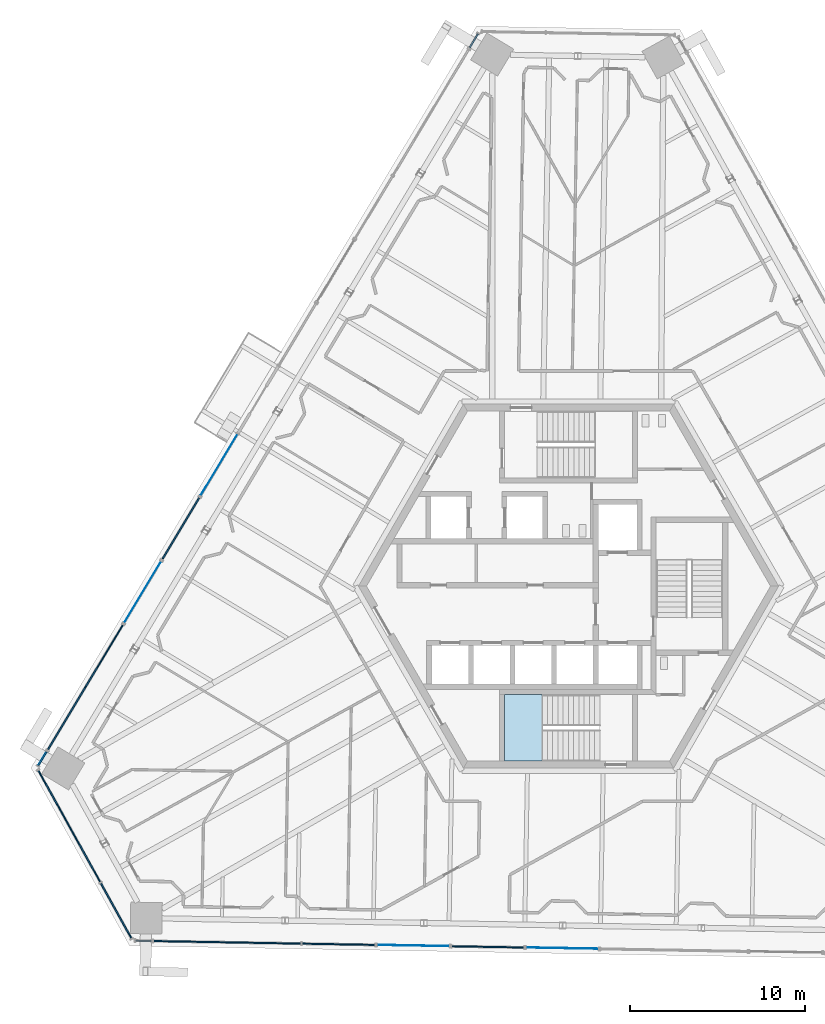
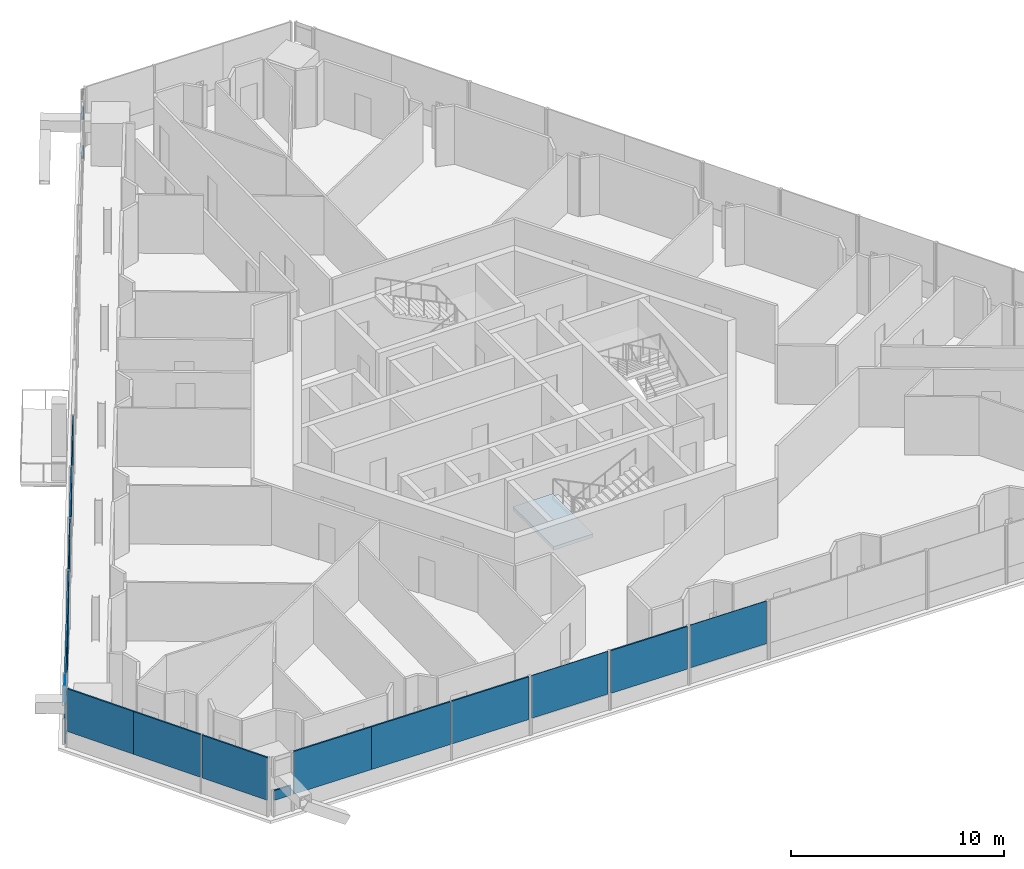
# One storey, part 11 of 24: 17 plates, 4 members, 1 slab, 15 elements without a shape of their own.
"""IFC4 building model written with IfcOpenShell, lengths in metres."""

from ifc_helpers import new_model, si_unit, direction, frame, origin, origin_2d, place, context, subcontext, project, spatial, polyline, rectangle, outline, extrude, source, transform, mapped, material, layer, layer_set, material_profile, profile_set, type_object, element, aggregate, save


model = new_model("IFC4")

# Units and contexts
model_context = context("Model", 3, precision=1e-05, world=origin(), true_north=direction((0.0, 1.0)))
body_context = subcontext(model_context, "Body", "Model", "MODEL_VIEW")
ifc_project = project(units=[si_unit("LENGTHUNIT", "METRE"), si_unit("AREAUNIT", "SQUARE_METRE"), si_unit("VOLUMEUNIT", "CUBIC_METRE"), si_unit("PLANEANGLEUNIT", "RADIAN"), si_unit("MASSUNIT", "GRAM", prefix="KILO")], contexts=[model_context])

# Site, building, storey
site_placement = place(None, origin())
site = spatial("IfcSite", under=ifc_project, at=site_placement, CompositionType="ELEMENT")
building_placement = place(site_placement, origin())
building = spatial("IfcBuilding", under=site, at=building_placement, Name="Triune Harvest Tower", CompositionType="ELEMENT")
storey_placement = place(building_placement, frame((0.0, 0.0, 212.300048828125)))
storey = spatial("IfcBuildingStorey", under=building, at=storey_placement, Name="L55", CompositionType="ELEMENT", Elevation=212.300048828125)

# Curtain wall, member
ifc_material_1 = material(Name="Aluminium bronze anodised", Category="aluminium")
curtain_wall_type_1 = type_object("IfcCurtainWallType", Name="CW-10 Balcony window wall with insulated spandrel infill", PredefinedType="NOTDEFINED", material=ifc_material_1)
curtain_wall_1_placement = place(storey_placement, origin())
curtain_wall_1 = element("IfcCurtainWall", 1, at=curtain_wall_1_placement, inside=storey, type_object=curtain_wall_type_1, Name="CW-10 B5-F3 L55 run 1")
ifc_material_2 = material(Name="Aluminium bronze anodised", Category="aluminium")
ifc_material_profile = material_profile(ifc_material_2, rectangle(XDim=0.090087890625, YDim=0.14990234375, at=origin_2d()), Name="TR-6 transom 90 x 150")
ifc_profile_set = profile_set([ifc_material_profile], Name="Aluminium bronze anodised")
member_type = type_object("IfcMemberType", Name="TR-6 transom 90 x 150", PredefinedType="USERDEFINED", material=ifc_profile_set)
shared_shape_1 = source(origin(), body_context, "Body", "SweptSolid", [
    extrude(rectangle(XDim=0.090087890625, YDim=0.14990234375, at=origin_2d()), origin(), (0.0, 0.0, 1.0), 0.89697265625),
])
member_1_placement = place(storey_placement, frame((-5.173095703125, 31.537353515625, 0.074951171875), z_axis=(-0.515016056834, -0.857180530112, 0.0), x_axis=(0.857180530112, -0.515016056834, 0.0)))
member_1 = element("IfcMember", 2, at=member_1_placement, type_object=member_type, Name="CW-10 transom B5-F3 1.1", ObjectType="TRANSOM", PredefinedType="USERDEFINED", context=body_context, shape_type="MappedRepresentation", body=[
    mapped(shared_shape_1, transform((0.0, 0.0, 0.0), scale=1.0)),
])
aggregate(curtain_wall_1, [member_1])

ifc_material_3 = material(Name="Aluminium bronze anodised", Category="aluminium")
curtain_wall_type_2 = type_object("IfcCurtainWallType", Name="CW-6 Balcony window wall", PredefinedType="NOTDEFINED", material=ifc_material_3)
curtain_wall_2_placement = place(storey_placement, origin())
curtain_wall_2 = element("IfcCurtainWall", 3, at=curtain_wall_2_placement, inside=storey, type_object=curtain_wall_type_2, Name="CW-6 B5-F3 L55 run 101")
member_2_placement = place(storey_placement, frame((-5.173095703125, 31.537353515625, 2.31005859375), z_axis=(-0.515016056834, -0.857180530112, 0.0), x_axis=(0.857180530112, -0.515016056834, 0.0)))
member_2 = element("IfcMember", 4, at=member_2_placement, type_object=member_type, Name="CW-6 transom B5-F3 101.1", ObjectType="TRANSOM", PredefinedType="USERDEFINED", context=body_context, shape_type="MappedRepresentation", body=[
    mapped(shared_shape_1, transform((0.0, 0.0, 0.0), scale=1.0)),
])
aggregate(curtain_wall_2, [member_2])

curtain_wall_3_placement = place(storey_placement, origin())
curtain_wall_3 = element("IfcCurtainWall", 5, at=curtain_wall_3_placement, inside=storey, type_object=curtain_wall_type_1, Name="CW-10 B5-F3 L55 run 102")
shared_shape_2 = source(origin(), body_context, "Body", "SweptSolid", [
    extrude(rectangle(XDim=0.090087890625, YDim=0.14990234375, at=origin_2d()), origin(), (0.0, 0.0, 1.0), 0.896728515625),
])
member_3_placement = place(storey_placement, frame((-29.8125, -9.4697265625, 0.074951171875), z_axis=(-0.514816008217, -0.857300692688, 0.0), x_axis=(0.857300692688, -0.514816008217, 0.0)))
member_3 = element("IfcMember", 6, at=member_3_placement, type_object=member_type, Name="CW-10 transom B5-F3 102.1", ObjectType="TRANSOM", PredefinedType="USERDEFINED", context=body_context, shape_type="MappedRepresentation", body=[
    mapped(shared_shape_2, transform((0.0, 0.0, 0.0), scale=1.0)),
])

curtain_wall_4_placement = place(storey_placement, origin())
curtain_wall_4 = element("IfcCurtainWall", 7, at=curtain_wall_4_placement, inside=storey, type_object=curtain_wall_type_2, Name="CW-6 B5-F3 L55 run 202")
member_4_placement = place(storey_placement, frame((-29.8125, -9.4697265625, 2.31005859375), z_axis=(-0.514816008217, -0.857300692688, 0.0), x_axis=(0.857300692688, -0.514816008217, 0.0)))
member_4 = element("IfcMember", 8, at=member_4_placement, type_object=member_type, Name="CW-6 transom B5-F3 202.1", ObjectType="TRANSOM", PredefinedType="USERDEFINED", context=body_context, shape_type="MappedRepresentation", body=[
    mapped(shared_shape_2, transform((0.0, 0.0, 0.0), scale=1.0)),
])

# Curtain wall, plate
ifc_material_4 = material(Name="Aluminium bronze anodised", Category="aluminium")
curtain_wall_type_3 = type_object("IfcCurtainWallType", Name="CW-1 Tower stick curtain wall", PredefinedType="NOTDEFINED", material=ifc_material_4)
curtain_wall_5_placement = place(storey_placement, origin())
curtain_wall_5 = element("IfcCurtainWall", 9, at=curtain_wall_5_placement, inside=storey, type_object=curtain_wall_type_3, Name="CW-1 B5-F5 L55 run 3201")
ifc_material_5 = material(Name="Glass", Category="glass")
ifc_layer_1 = layer(ifc_material_5, 0.031982421875)
ifc_layer_set_1 = layer_set([ifc_layer_1], Name="Glass")
plate_type_1 = type_object("IfcPlateType", Name="GL-1 panel 32", PredefinedType="CURTAIN_PANEL", material=ifc_layer_set_1)
plate_1_placement = place(storey_placement, frame((-0.36083984375, -20.673828125, 0.89990234375), z_axis=(0.0, 0.0, 1.0), x_axis=(0.999847448447, -0.017466534713, 0.0)))
plate_1 = element("IfcPlate", 10, at=plate_1_placement, type_object=plate_type_1, Name="CW-1 panel B5-F5 3201.1", PredefinedType="CURTAIN_PANEL", context=body_context, shape_type="SweptSolid", body=[
    extrude(rectangle(XDim=4.103759765625, YDim=0.031982421875, at=origin_2d()), origin(), (0.0, 0.0, 1.0), 2.449951171875),
])
aggregate(curtain_wall_5, [plate_1])

ifc_material_6 = material(Name="Aluminium bronze anodised", Category="aluminium")
curtain_wall_type_4 = type_object("IfcCurtainWallType", Name="CW-7 Tower stick curtain wall with insulated spandrel infill", PredefinedType="NOTDEFINED", material=ifc_material_6)
curtain_wall_6_placement = place(storey_placement, origin())
curtain_wall_6 = element("IfcCurtainWall", 11, at=curtain_wall_6_placement, inside=storey, type_object=curtain_wall_type_4, Name="CW-7 B5-F5 L55 run 201")
ifc_material_7 = material(Name="Insulated spandrel panel, bronze aluminium pan", Category="aluminium")
ifc_layer_2 = layer(ifc_material_7, 0.080078125)
ifc_layer_set_2 = layer_set([ifc_layer_2], Name="Insulated spandrel panel, bronze aluminium pan")
plate_type_2 = type_object("IfcPlateType", Name="SP-1 insulated spandrel panel 80", PredefinedType="CURTAIN_PANEL", material=ifc_layer_set_2)
plate_2_placement = place(storey_placement, frame((-17.392822265625, -20.376708984375, 0.89990234375), z_axis=(0.0, 0.0, 1.0), x_axis=(0.999847729178, -0.017450457236, 0.0)))
plate_2 = element("IfcPlate", 12, at=plate_2_placement, type_object=plate_type_2, Name="CW-7 panel B5-F5 201.2", PredefinedType="CURTAIN_PANEL", context=body_context, shape_type="SweptSolid", body=[
    extrude(rectangle(XDim=4.216552734375, YDim=0.080078125, at=origin_2d()), origin(), (0.0, 0.0, 1.0), 2.449951171875),
])

# Stair, slab
ifc_material_8 = material(Name="Concrete 40 MPa", Category="concrete")
stair_type = type_object("IfcStairType", Name="Exit stair 1800 half turn", PredefinedType="HALF_TURN_STAIR", material=ifc_material_8)
stair_placement = place(storey_placement, origin())
stair = element("IfcStair", 13, at=stair_placement, inside=storey, type_object=stair_type, Name="Exit stair south", PredefinedType="HALF_TURN_STAIR")
ifc_material_9 = material(Name="Concrete 40 MPa", Category="concrete")
ifc_layer_3 = layer(ifc_material_9, 0.199951171875)
ifc_layer_set_3 = layer_set([ifc_layer_3], Name="Concrete 40 MPa")
slab_type = type_object("IfcSlabType", Name="Stair landing 200", PredefinedType="LANDING", material=ifc_layer_set_3)
shared_shape_3 = source(origin(), body_context, "Body", "SweptSolid", [
    extrude(outline(polyline([(-1.510009765625, -6.18994140625), (-3.64990234375, -6.18994140625), (-3.64990234375, -9.989990234375), (-1.510009765625, -9.989990234375), (-1.510009765625, -6.18994140625)])), origin(), (0.0, 0.0, 1.0), 0.2001953125),
])
slab_placement = place(storey_placement, frame((0.0, 0.0, 1.599853515625)))
slab = element("IfcSlab", 14, at=slab_placement, type_object=slab_type, Name="ST-2 landing 2", PredefinedType="LANDING", context=body_context, shape_type="MappedRepresentation", body=[
    mapped(shared_shape_3, transform((0.0, 0.0, 0.0), scale=1.0)),
])
aggregate(stair, [slab])

# Curtain wall, plate
curtain_wall_7_placement = place(storey_placement, origin())
curtain_wall_7 = element("IfcCurtainWall", 15, at=curtain_wall_7_placement, inside=storey, type_object=curtain_wall_type_4, Name="CW-7 B5-F5 L55 run 1")
shared_shape_4 = source(origin(), body_context, "Body", "SweptSolid", [
    extrude(rectangle(XDim=0.896728515625, YDim=0.080078125, at=origin_2d()), origin(), (0.0, 0.0, 1.0), 0.56494140625),
])
plate_3_placement = place(storey_placement, frame((-24.27734375, -20.256591796875, 0.89990234375), z_axis=(0.0, 0.0, 1.0), x_axis=(0.999848834448, -0.017387013935, 0.0)))
plate_3 = element("IfcPlate", 16, at=plate_3_placement, type_object=plate_type_2, Name="CW-7 panel B5-F5 1.1", PredefinedType="CURTAIN_PANEL", context=body_context, shape_type="MappedRepresentation", body=[
    mapped(shared_shape_4, transform((0.0, 0.0, 0.0), scale=1.0)),
])
aggregate(curtain_wall_7, [plate_3])

# Plate
shared_shape_5 = source(origin(), body_context, "Body", "SweptSolid", [
    extrude(rectangle(XDim=4.178955078125, YDim=0.080078125, at=origin_2d()), origin(), (0.0, 0.0, 1.0), 2.449951171875),
])
plate_4_placement = place(storey_placement, frame((-21.58984375, -20.303466796875, 0.89990234375), z_axis=(0.0, 0.0, 1.0), x_axis=(0.999847729178, -0.017450457236, 0.0)))
plate_4 = element("IfcPlate", 17, at=plate_4_placement, type_object=plate_type_2, Name="CW-7 panel B5-F5 201.1", PredefinedType="CURTAIN_PANEL", context=body_context, shape_type="MappedRepresentation", body=[
    mapped(shared_shape_5, transform((0.0, 0.0, 0.0), scale=1.0)),
])

shared_shape_6 = source(origin(), body_context, "Body", "SweptSolid", [
    extrude(rectangle(XDim=4.141357421875, YDim=0.080078125, at=origin_2d()), origin(), (0.0, 0.0, 1.0), 2.449951171875),
])
plate_5_placement = place(storey_placement, frame((-13.139404296875, -20.450927734375, 0.89990234375), z_axis=(0.0, 0.0, 1.0), x_axis=(0.999847729178, -0.017450457236, 0.0)))
plate_5 = element("IfcPlate", 18, at=plate_5_placement, type_object=plate_type_2, Name="CW-7 panel B5-F5 201.3", PredefinedType="CURTAIN_PANEL", context=body_context, shape_type="MappedRepresentation", body=[
    mapped(shared_shape_6, transform((0.0, 0.0, 0.0), scale=1.0)),
])

aggregate(curtain_wall_6, [plate_4, plate_2, plate_5])

# Curtain wall, plate
curtain_wall_8_placement = place(storey_placement, origin())
curtain_wall_8 = element("IfcCurtainWall", 19, at=curtain_wall_8_placement, inside=storey, type_object=curtain_wall_type_3, Name="CW-1 B5-F5 L55 run 1201")
shared_shape_7 = source(origin(), body_context, "Body", "SweptSolid", [
    extrude(rectangle(XDim=4.10400390625, YDim=0.031982421875, at=origin_2d()), origin(), (0.0, 0.0, 1.0), 2.449951171875),
])
plate_6_placement = place(storey_placement, frame((-8.867431640625, -20.525390625, 0.89990234375), z_axis=(0.0, 0.0, 1.0), x_axis=(0.999847455618, -0.01746612417, 0.0)))
plate_6 = element("IfcPlate", 20, at=plate_6_placement, type_object=plate_type_1, Name="CW-1 panel B5-F5 1201.1", PredefinedType="CURTAIN_PANEL", context=body_context, shape_type="MappedRepresentation", body=[
    mapped(shared_shape_7, transform((0.0, 0.0, 0.0), scale=1.0)),
])
aggregate(curtain_wall_8, [plate_6])

curtain_wall_9_placement = place(storey_placement, origin())
curtain_wall_9 = element("IfcCurtainWall", 21, at=curtain_wall_9_placement, inside=storey, type_object=curtain_wall_type_4, Name="CW-7 B5-F5 L55 run 2201")
shared_shape_8 = source(origin(), body_context, "Body", "SweptSolid", [
    extrude(rectangle(XDim=4.10400390625, YDim=0.080078125, at=origin_2d()), origin(), (0.0, 0.0, 1.0), 2.449951171875),
])
plate_7_placement = place(storey_placement, frame((-4.6142578125, -20.599609375, 0.89990234375), z_axis=(0.0, 0.0, 1.0), x_axis=(0.999847865866, -0.017442623768, 0.0)))
plate_7 = element("IfcPlate", 22, at=plate_7_placement, type_object=plate_type_2, Name="CW-7 panel B5-F5 2201.1", PredefinedType="CURTAIN_PANEL", context=body_context, shape_type="MappedRepresentation", body=[
    mapped(shared_shape_8, transform((0.0, 0.0, 0.0), scale=1.0)),
])
aggregate(curtain_wall_9, [plate_7])

# Curtain wall, plates
curtain_wall_10_placement = place(storey_placement, origin())
curtain_wall_10 = element("IfcCurtainWall", 23, at=curtain_wall_10_placement, inside=storey, type_object=curtain_wall_type_4, Name="CW-7 B5-F4 L55 run 1")
shared_shape_9 = source(origin(), body_context, "Body", "SweptSolid", [
    extrude(rectangle(XDim=3.625, YDim=0.080078125, at=origin_2d()), origin(), (0.0, 0.0, 1.0), 2.449951171875),
])
plate_8_placement = place(storey_placement, frame((-29.400634765625, -12.109375, 0.89990234375), z_axis=(0.0, 0.0, 1.0), x_axis=(0.484801950362, -0.874623958582, 0.0)))
plate_8 = element("IfcPlate", 24, at=plate_8_placement, type_object=plate_type_2, Name="CW-7 panel B5-F4 1.1", PredefinedType="CURTAIN_PANEL", context=body_context, shape_type="MappedRepresentation", body=[
    mapped(shared_shape_9, transform((0.0, 0.0, 0.0), scale=1.0)),
])
shared_shape_10 = source(origin(), body_context, "Body", "SweptSolid", [
    extrude(rectangle(XDim=3.66259765625, YDim=0.080078125, at=origin_2d()), origin(), (0.0, 0.0, 1.0), 2.449951171875),
])
plate_9_placement = place(storey_placement, frame((-27.634033203125, -15.29638671875, 0.89990234375), z_axis=(0.0, 0.0, 1.0), x_axis=(0.484801950362, -0.874623958582, 0.0)))
plate_9 = element("IfcPlate", 25, at=plate_9_placement, type_object=plate_type_2, Name="CW-7 panel B5-F4 1.2", PredefinedType="CURTAIN_PANEL", context=body_context, shape_type="MappedRepresentation", body=[
    mapped(shared_shape_10, transform((0.0, 0.0, 0.0), scale=1.0)),
])
shared_shape_11 = source(origin(), body_context, "Body", "SweptSolid", [
    extrude(rectangle(XDim=3.587646484375, YDim=0.080078125, at=origin_2d()), origin(), (0.0, 0.0, 1.0), 2.449951171875),
])
plate_10_placement = place(storey_placement, frame((-25.84033203125, -18.532470703125, 0.89990234375), z_axis=(0.0, 0.0, 1.0), x_axis=(0.484801950362, -0.874623958582, 0.0)))
plate_10 = element("IfcPlate", 26, at=plate_10_placement, type_object=plate_type_2, Name="CW-7 panel B5-F4 1.3", PredefinedType="CURTAIN_PANEL", context=body_context, shape_type="MappedRepresentation", body=[
    mapped(shared_shape_11, transform((0.0, 0.0, 0.0), scale=1.0)),
])
aggregate(curtain_wall_10, [plate_8, plate_9, plate_10])

# Plate
shared_shape_12 = source(origin(), body_context, "Body", "SweptSolid", [
    extrude(rectangle(XDim=0.896728515625, YDim=0.080078125, at=origin_2d()), origin(), (0.0, 0.0, 1.0), 1.31494140625),
])
plate_11_placement = place(storey_placement, frame((-30.04345703125, -9.85400390625, 0.14990234375), z_axis=(0.0, 0.0, 1.0), x_axis=(-0.514973387448, -0.857206165529, 0.0)))
plate_11 = element("IfcPlate", 27, at=plate_11_placement, type_object=plate_type_2, Name="CW-10 panel B5-F3 102.1", PredefinedType="CURTAIN_PANEL", context=body_context, shape_type="MappedRepresentation", body=[
    mapped(shared_shape_12, transform((0.0, 0.0, 0.0), scale=1.0)),
])

aggregate(curtain_wall_3, [member_3, plate_11])

ifc_material_10 = material(Name="Glass", Category="glass")
ifc_layer_4 = layer(ifc_material_10, 0.030029296875)
ifc_layer_set_4 = layer_set([ifc_layer_4], Name="Glass")
plate_type_3 = type_object("IfcPlateType", Name="GL-6 panel 30", PredefinedType="CURTAIN_PANEL", material=ifc_layer_set_4)
shared_shape_13 = source(origin(), body_context, "Body", "SweptSolid", [
    extrude(rectangle(XDim=0.896728515625, YDim=0.030029296875, at=origin_2d()), origin(), (0.0, 0.0, 1.0), 0.965087890625),
])
plate_12_placement = place(storey_placement, frame((-30.04345703125, -9.85400390625, 2.384765625), z_axis=(0.0, 0.0, 1.0), x_axis=(-0.514973387448, -0.857206165529, 0.0)))
plate_12 = element("IfcPlate", 28, at=plate_12_placement, type_object=plate_type_3, Name="CW-6 panel B5-F3 202.1", PredefinedType="CURTAIN_PANEL", context=body_context, shape_type="MappedRepresentation", body=[
    mapped(shared_shape_13, transform((0.0, 0.0, 0.0), scale=1.0)),
])

aggregate(curtain_wall_4, [member_4, plate_12])

# Curtain wall, plates
curtain_wall_11_placement = place(storey_placement, origin())
curtain_wall_11 = element("IfcCurtainWall", 29, at=curtain_wall_11_placement, inside=storey, type_object=curtain_wall_type_1, Name="CW-10 B5-F3 L55 run 3002")
shared_shape_14 = source(origin(), body_context, "Body", "SweptSolid", [
    extrude(rectangle(XDim=4.158203125, YDim=0.080078125, at=origin_2d()), origin(), (0.0, 0.0, 1.0), 3.199951171875),
])
plate_13_placement = place(storey_placement, frame((-26.522705078125, -3.99462890625, 0.14990234375), z_axis=(0.0, 0.0, 1.0), x_axis=(-0.515035838539, -0.857168644445, 0.0)))
plate_13 = element("IfcPlate", 30, at=plate_13_placement, type_object=plate_type_2, Name="CW-10 panel B5-F3 3002.1", PredefinedType="CURTAIN_PANEL", context=body_context, shape_type="MappedRepresentation", body=[
    mapped(shared_shape_14, transform((0.0, 0.0, 0.0), scale=1.0)),
])
plate_14_placement = place(storey_placement, frame((-28.66455078125, -7.55908203125, 0.14990234375), z_axis=(0.0, 0.0, 1.0), x_axis=(-0.515035838539, -0.857168644445, 0.0)))
plate_14 = element("IfcPlate", 31, at=plate_14_placement, type_object=plate_type_2, Name="CW-10 panel B5-F3 3002.2", PredefinedType="CURTAIN_PANEL", context=body_context, shape_type="MappedRepresentation", body=[
    mapped(shared_shape_14, transform((0.0, 0.0, 0.0), scale=1.0)),
])
aggregate(curtain_wall_11, [plate_13, plate_14])

# Curtain wall, plate
curtain_wall_12_placement = place(storey_placement, origin())
curtain_wall_12 = element("IfcCurtainWall", 32, at=curtain_wall_12_placement, inside=storey, type_object=curtain_wall_type_2, Name="CW-6 B5-F3 L55 run 2")
shared_shape_15 = source(origin(), body_context, "Body", "SweptSolid", [
    extrude(rectangle(XDim=4.083251953125, YDim=0.030029296875, at=origin_2d()), origin(), (0.0, 0.0, 1.0), 3.199951171875),
])
plate_15_placement = place(storey_placement, frame((-19.962646484375, 6.92333984375, 0.14990234375), z_axis=(0.0, 0.0, 1.0), x_axis=(-0.515041052863, -0.857165511361, 0.0)))
plate_15 = element("IfcPlate", 33, at=plate_15_placement, type_object=plate_type_3, Name="CW-6 panel B5-F3 2.1", PredefinedType="CURTAIN_PANEL", context=body_context, shape_type="MappedRepresentation", body=[
    mapped(shared_shape_15, transform((0.0, 0.0, 0.0), scale=1.0)),
])
aggregate(curtain_wall_12, [plate_15])

curtain_wall_13_placement = place(storey_placement, origin())
curtain_wall_13 = element("IfcCurtainWall", 34, at=curtain_wall_13_placement, inside=storey, type_object=curtain_wall_type_2, Name="CW-6 B5-F3 L55 run 2002")
plate_16_placement = place(storey_placement, frame((-24.3232421875, -0.333984375, 0.14990234375), z_axis=(0.0, 0.0, 1.0), x_axis=(-0.515041052863, -0.857165511361, 0.0)))
plate_16 = element("IfcPlate", 35, at=plate_16_placement, type_object=plate_type_3, Name="CW-6 panel B5-F3 2002.1", PredefinedType="CURTAIN_PANEL", context=body_context, shape_type="MappedRepresentation", body=[
    mapped(shared_shape_15, transform((0.0, 0.0, 0.0), scale=1.0)),
])
aggregate(curtain_wall_13, [plate_16])

curtain_wall_14_placement = place(storey_placement, origin())
curtain_wall_14 = element("IfcCurtainWall", 36, at=curtain_wall_14_placement, inside=storey, type_object=curtain_wall_type_1, Name="CW-10 B5-F3 L55 run 1002")
shared_shape_16 = source(origin(), body_context, "Body", "SweptSolid", [
    extrude(rectangle(XDim=4.083251953125, YDim=0.080078125, at=origin_2d()), origin(), (0.0, 0.0, 1.0), 3.199951171875),
])
plate_17_placement = place(storey_placement, frame((-22.142822265625, 3.294677734375, 0.14990234375), z_axis=(0.0, 0.0, 1.0), x_axis=(-0.515030624286, -0.857171777444, 0.0)))
plate_17 = element("IfcPlate", 37, at=plate_17_placement, type_object=plate_type_2, Name="CW-10 panel B5-F3 1002.1", PredefinedType="CURTAIN_PANEL", context=body_context, shape_type="MappedRepresentation", body=[
    mapped(shared_shape_16, transform((0.0, 0.0, 0.0), scale=1.0)),
])
aggregate(curtain_wall_14, [plate_17])

save(model, "model.ifc")
